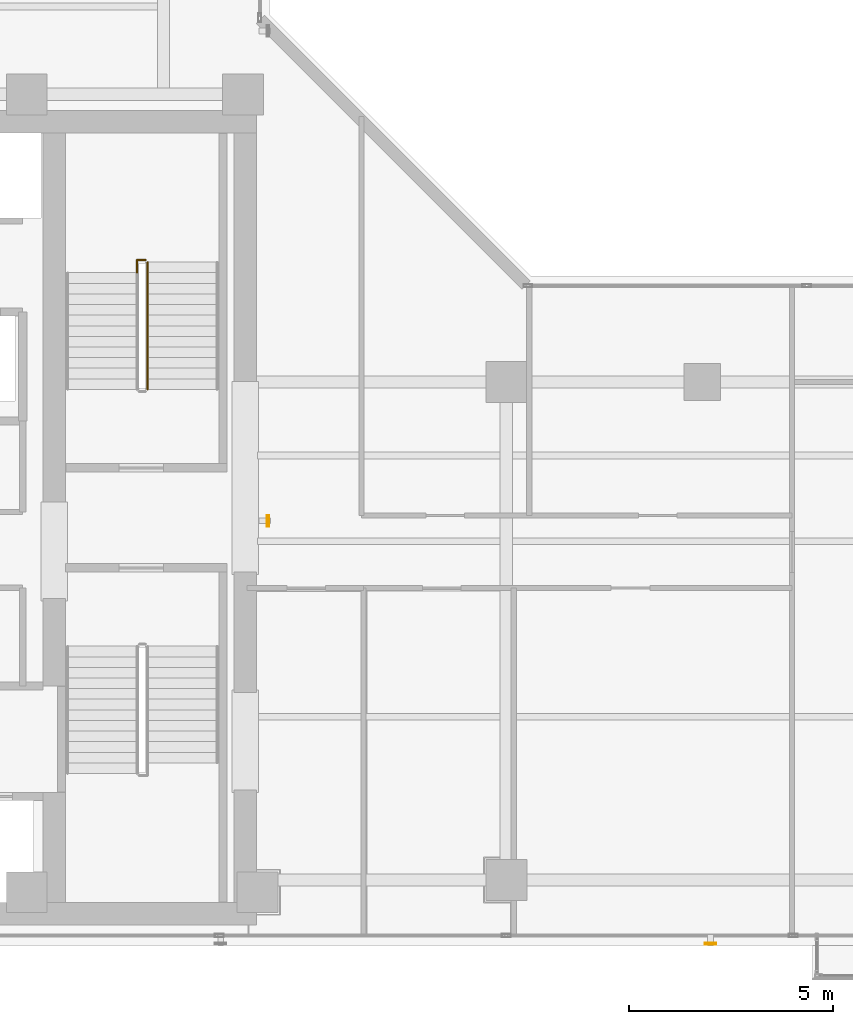
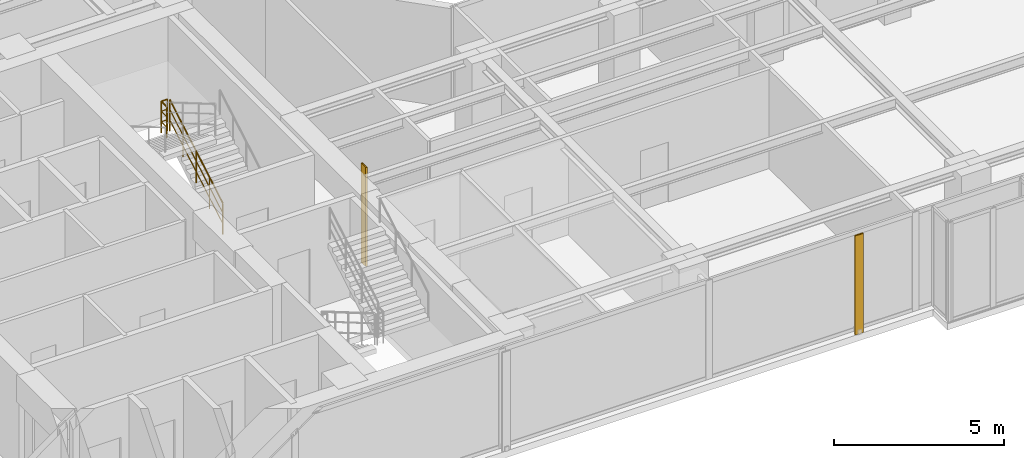
# One storey, part 21 of 24: 2 railings, 2 shading devices.
"""IFC4 building model written with IfcOpenShell, lengths in metres."""

import ifcopenshell
import ifcopenshell.guid

model = None  # the IFC model being written
_history = None  # IfcOwnerHistory: only IFC2X3 demands one
_inside = {}  # id of a spatial element -> (the spatial element, [elements in it])
_under = {}  # id of a project, library or spatial element -> (it, [spatial elements below it])
_declared = {}  # id of a project -> (the project, [libraries it declares])
_typed = {}  # id of a type object -> (the type object, [elements of that type])
_made_of = {}  # id of a material, layer set ... -> (it, [elements and type objects made of it])


def new_model(schema):
    """Start an empty IFC model of exactly this schema.

    Asked for "IFC4X3", IfcOpenShell would pick the latest addendum, in which some entities
    have other attributes; the version numbers below select the first issue.
    IFC2X3 requires an IfcOwnerHistory on every rooted entity: one is made here for all.
    """
    global model, _history
    if schema == "IFC4X3":
        model = ifcopenshell.file(schema_version=(4, 3, 0, 0))
    else:
        model = ifcopenshell.file(schema=schema)
    _inside.clear()
    _under.clear()
    _declared.clear()
    _typed.clear()
    _made_of.clear()
    _history = None
    if model.schema == "IFC2X3":
        org = make("IfcOrganization", Name="unknown")
        user = make(
            "IfcPersonAndOrganization",
            ThePerson=make("IfcPerson", FamilyName="unknown"),
            TheOrganization=org,
        )
        app = make(
            "IfcApplication",
            ApplicationDeveloper=org,
            Version="unknown",
            ApplicationFullName="unknown",
            ApplicationIdentifier="unknown",
        )
        _history = make(
            "IfcOwnerHistory",
            OwningUser=user,
            OwningApplication=app,
            ChangeAction="ADDED",
            CreationDate=0,
        )
    return model


def make(cls, **values):
    """One entity of the class cls with the attributes given. An attribute that is None is left unset."""
    return model.create_entity(
        cls, **{name: value for name, value in values.items() if value is not None}
    )


def rooted(cls, **values):
    """An entity with a GlobalId (a new one), such as an element, a storey or a relation."""
    return make(cls, GlobalId=ifcopenshell.guid.new(), OwnerHistory=_history, **values)


def si_unit(unit_type, name, prefix=None):
    """IfcSIUnit, for example si_unit("LENGTHUNIT", "METRE", prefix="MILLI")."""
    return make("IfcSIUnit", UnitType=unit_type, Prefix=prefix, Name=name)


def assignment(units):
    """IfcUnitAssignment: the units of a project."""
    return None if units is None else make("IfcUnitAssignment", Units=units)


def point(xyz):
    """IfcCartesianPoint."""
    return None if xyz is None else make("IfcCartesianPoint", Coordinates=xyz)


def direction(xyz):
    """IfcDirection."""
    return None if xyz is None else make("IfcDirection", DirectionRatios=xyz)


def frame(location, z_axis=None, x_axis=None):
    """IfcAxis2Placement3D, a coordinate frame: its origin and axes. An axis left out is left unset."""
    return make(
        "IfcAxis2Placement3D",
        Location=point(location),
        Axis=direction(z_axis),
        RefDirection=direction(x_axis),
    )


def frame_2d(location, x_axis=None):
    """IfcAxis2Placement2D, a coordinate frame in the plane: its origin and x axis."""
    return make(
        "IfcAxis2Placement2D", Location=point(location), RefDirection=direction(x_axis)
    )


def origin():
    """The frame at (0, 0, 0) with its axes left unset."""
    return frame((0.0, 0.0, 0.0))


def origin_2d():
    """The frame at (0, 0) in the plane with its x axis left unset."""
    return frame_2d((0.0, 0.0))


def place(relative_to, where):
    """IfcLocalPlacement: puts the frame where relative to a parent placement (None: the world)."""
    return make(
        "IfcLocalPlacement", PlacementRelTo=relative_to, RelativePlacement=where
    )


def context(
    kind, dimensions, precision=None, world=None, true_north=None, identifier=None
):
    """IfcGeometricRepresentationContext, for example the 3D "Model" context."""
    return make(
        "IfcGeometricRepresentationContext",
        ContextIdentifier=identifier,
        ContextType=kind,
        CoordinateSpaceDimension=dimensions,
        Precision=precision,
        WorldCoordinateSystem=world,
        TrueNorth=true_north,
    )


def subcontext(parent, identifier, kind, view, scale=None):
    """IfcGeometricRepresentationSubContext, for example "Body" below "Model"."""
    return make(
        "IfcGeometricRepresentationSubContext",
        ContextIdentifier=identifier,
        ContextType=kind,
        ParentContext=parent,
        TargetScale=scale,
        TargetView=view,
    )


def project(units=None, contexts=None):
    """IfcProject with its units and contexts."""
    return rooted(
        "IfcProject",
        Name="project",
        RepresentationContexts=contexts,
        UnitsInContext=assignment(units),
    )


def spatial(cls, under=None, at=None, **own):
    """A site, building, storey or space (cls), placed at a placement, below another one or the project."""
    s = rooted(cls, ObjectPlacement=at, **own)
    if under is not None:
        _under.setdefault(under.id(), (under, []))[1].append(s)
    return s


def profile(cls, at=None, kind="AREA", **sizes):
    """A parametric profile (cls). Its sizes go by their IFC names, for example OverallWidth=200.0."""
    return make(cls, ProfileType=kind, Position=at, **sizes)


def hollow_rectangle(**sizes):
    """IfcRectangleHollowProfileDef."""
    return profile("IfcRectangleHollowProfileDef", **sizes)


def circle(**sizes):
    """IfcCircleProfileDef."""
    return profile("IfcCircleProfileDef", **sizes)


def extrude(swept, where, along, depth):
    """IfcExtrudedAreaSolid: the profile swept, set in the frame where, extruded along a direction by depth."""
    return make(
        "IfcExtrudedAreaSolid",
        SweptArea=swept,
        Position=where,
        ExtrudedDirection=direction(along),
        Depth=depth,
    )


def shape(context_of_items, identifier, shape_type, items):
    """IfcShapeRepresentation: the items that make up one representation, for example the "Body"."""
    return make(
        "IfcShapeRepresentation",
        ContextOfItems=context_of_items,
        RepresentationIdentifier=identifier,
        RepresentationType=shape_type,
        Items=items,
    )


def material(Name=None, Category=None):
    """IfcMaterial."""
    return make("IfcMaterial", Name=Name, Category=Category)


def material_profile(
    of_material, cross_section, Name=None, Category=None, Priority=None
):
    """IfcMaterialProfile: a cross section and its material."""
    return make(
        "IfcMaterialProfile",
        Name=Name,
        Material=of_material,
        Profile=cross_section,
        Priority=Priority,
        Category=Category,
    )


def profile_set(profiles, Name=None, composite=None):
    """IfcMaterialProfileSet."""
    return make(
        "IfcMaterialProfileSet",
        Name=Name,
        MaterialProfiles=profiles,
        CompositeProfile=composite,
    )


def made_of(thing, what):
    """Note that an element or type object is made of a material, layer set ...; save() writes the relation."""
    if what is not None:
        _made_of.setdefault(what.id(), (what, []))[1].append(thing)
    return thing


def type_object(cls, material=None, **own):
    """A type object (cls), such as IfcWallType, which elements share."""
    return made_of(rooted(cls, **own), material)


def element(
    cls,
    number,
    at=None,
    inside=None,
    cuts=None,
    type_object=None,
    material=None,
    context=None,
    identifier="Body",
    shape_type=None,
    held_by="IfcProductDefinitionShape",
    body=None,
    shapes=None,
    **own,
):
    """One element of the class cls, such as IfcWall. Its Tag is "e" and its number.

    at: its placement. inside: the storey or other place that contains it. cuts: it is an
    opening in that element (IfcRelVoidsElement). A single representation is given by context,
    identifier, shape_type and body (its items); several are given by shapes. held_by: the class
    of the entity that holds the representations. save() writes the other relations.
    """
    e = rooted(cls, Tag="e%d" % number, ObjectPlacement=at, **own)
    if body is not None:
        shapes = [shape(context, identifier, shape_type, body)]
    if shapes is not None:
        e.Representation = make(held_by, Representations=shapes)
    if inside is not None:
        _inside.setdefault(inside.id(), (inside, []))[1].append(e)
    if cuts is not None:
        rooted(
            "IfcRelVoidsElement", RelatingBuildingElement=cuts, RelatedOpeningElement=e
        )
    if type_object is not None:
        _typed.setdefault(type_object.id(), (type_object, []))[1].append(e)
    return made_of(e, material)


def aggregate(whole, parts):
    """IfcRelAggregates: a whole, such as a stair, and the parts it consists of."""
    return rooted("IfcRelAggregates", RelatingObject=whole, RelatedObjects=parts)


def save(model, path):
    """Write the relations noted so far, then the file.

    IfcRelAggregates (storeys below a building ...), IfcRelContainedInSpatialStructure (elements
    in a storey), IfcRelDefinesByType, IfcRelAssociatesMaterial and IfcRelDeclares: one each for
    every whole, place, type object, material and project.
    """
    for whole, parts in _under.values():
        aggregate(whole, parts)
    for where, things in _inside.values():
        rooted(
            "IfcRelContainedInSpatialStructure",
            RelatedElements=things,
            RelatingStructure=where,
        )
    for kind, things in _typed.values():
        rooted("IfcRelDefinesByType", RelatedObjects=things, RelatingType=kind)
    for what, things in _made_of.values():
        rooted("IfcRelAssociatesMaterial", RelatedObjects=things, RelatingMaterial=what)
    for by, libraries in _declared.values():
        rooted("IfcRelDeclares", RelatingContext=by, RelatedDefinitions=libraries)
    model.write(path)


model = new_model("IFC4")

# Units and contexts
model_context = context("Model", 3, precision=1e-05, world=origin(), true_north=direction((0.0, 1.0)))
body_context = subcontext(model_context, "Body", "Model", "MODEL_VIEW")
ifc_project = project(units=[si_unit("LENGTHUNIT", "METRE"), si_unit("AREAUNIT", "SQUARE_METRE"), si_unit("VOLUMEUNIT", "CUBIC_METRE"), si_unit("PLANEANGLEUNIT", "RADIAN"), si_unit("MASSUNIT", "GRAM", prefix="KILO")], contexts=[model_context])

# Site, building, storey
site_placement = place(None, origin())
site = spatial("IfcSite", under=ifc_project, at=site_placement, CompositionType="ELEMENT")
building_placement = place(site_placement, origin())
building = spatial("IfcBuilding", under=site, at=building_placement, Name="Kolvaren Waterfront Exchange", CompositionType="ELEMENT")
storey_placement = place(building_placement, frame((0.0, 0.0, 238.699951171875)))
storey = spatial("IfcBuildingStorey", under=building, at=storey_placement, Name="L61", CompositionType="ELEMENT", Elevation=238.699951171875)

# Shading devices
ifc_material_1 = material(Name="Anodised bronze aluminium 6063-T6", Category="aluminium")
ifc_material_profile = material_profile(ifc_material_1, hollow_rectangle(XDim=0.054931640625, YDim=0.280029296875, WallThickness=0.00439453125, at=origin_2d()), Name="BRZ-FIN-280x55x4.5")
ifc_profile_set = profile_set([ifc_material_profile], Name="Anodised bronze aluminium 6063-T6")
shading_device_type = type_object("IfcShadingDeviceType", Name="ARC-FIN-280", PredefinedType="USERDEFINED", material=ifc_profile_set)
for number, where, z_axis, x_axis, name in (
    (1, (32.199951171875, 3.639892578125, 0.0), (0.0, 0.0, 1.0), (0.0, -1.0, 0.0), "L61 anodised bronze solar shading fin FIN-L61-S3"),
    (2, (21.360107421875, 14.0, 0.0), (0.0, 0.0, 1.0), (1.0, 0.0, 0.0), "L61 anodised bronze solar shading fin FIN-L61-E1"),
):
    element("IfcShadingDevice", number, at=place(storey_placement, frame(where, z_axis=z_axis, x_axis=x_axis)), inside=storey, type_object=shading_device_type, Name=name, ObjectType="SOLAR FIN", PredefinedType="USERDEFINED", context=body_context, shape_type="SweptSolid", body=[
        extrude(hollow_rectangle(XDim=0.054931640625, YDim=0.280029296875, WallThickness=0.00439453125, at=origin_2d()), origin(), (0.0, 0.0, 1.0), 3.56005859375),
    ])

# Railings
ifc_material_2 = material(Name="Stainless steel 316", Category="steel")
railing_type = type_object("IfcRailingType", Name="ARC-GUARD-STAIR", PredefinedType="GUARDRAIL", material=ifc_material_2)
railing_1_placement = place(storey_placement, frame((18.409912109375, 17.219970703125, 0.152099609375)))
element("IfcRailing", 3, at=railing_1_placement, inside=storey, type_object=railing_type, Name="L61 ST2 stair guard 1", PredefinedType="GUARDRAIL", context=body_context, shape_type="SweptSolid", body=[
    extrude(circle(Radius=0.02392578125, at=origin_2d()), frame((0.0, 0.0, 1.1259765625), z_axis=(0.0, 0.86330811405, 0.504677223793), x_axis=(-1.0, 0.0, 0.0)), (0.0, 0.0, 1.0), 3.6142578125),
    extrude(circle(Radius=0.01611328125, at=origin_2d()), frame((0.0, 0.0, 0.390869140625), z_axis=(0.0, 0.86330811405, 0.504677223793), x_axis=(-1.0, 0.0, 0.0)), (0.0, 0.0, 1.0), 3.6142578125),
    extrude(circle(Radius=0.01611328125, at=origin_2d()), frame((0.0, 0.0, 0.7705078125), z_axis=(0.0, 0.86330811405, 0.504677223793), x_axis=(-1.0, 0.0, 0.0)), (0.0, 0.0, 1.0), 3.6142578125),
    extrude(circle(Radius=0.02099609375, at=origin_2d()), origin(), (0.0, 0.0, 1.0), 1.101806640625),
    extrude(circle(Radius=0.02099609375, at=origin_2d()), frame((0.0, 0.780029296875, 0.4560546875)), (0.0, 0.0, 1.0), 1.101806640625),
    extrude(circle(Radius=0.02099609375, at=origin_2d()), frame((0.0, 1.56005859375, 0.912109375)), (0.0, 0.0, 1.0), 1.101806640625),
    extrude(circle(Radius=0.02099609375, at=origin_2d()), frame((0.0, 2.340087890625, 1.367919921875)), (0.0, 0.0, 1.0), 1.101806640625),
    extrude(circle(Radius=0.02099609375, at=origin_2d()), frame((0.0, 3.1201171875, 1.823974609375)), (0.0, 0.0, 1.0), 1.101806640625),
])
railing_2_placement = place(storey_placement, frame((18.360107421875, 20.389892578125, 1.97607421875)))
element("IfcRailing", 4, at=railing_2_placement, inside=storey, type_object=railing_type, Name="L61 ST2 stair guard 2", PredefinedType="GUARDRAIL", context=body_context, shape_type="SweptSolid", body=[
    extrude(circle(Radius=0.02392578125, at=origin_2d()), frame((0.0, 0.0, 1.1259765625), z_axis=(-1.0, 0.0, 0.0), x_axis=(0.0, -1.0, 0.0)), (0.0, 0.0, 1.0), 0.210205078125),
    extrude(circle(Radius=0.01611328125, at=origin_2d()), frame((0.0, 0.0, 0.390869140625), z_axis=(-1.0, 0.0, 0.0), x_axis=(0.0, -1.0, 0.0)), (0.0, 0.0, 1.0), 0.210205078125),
    extrude(circle(Radius=0.01611328125, at=origin_2d()), frame((0.0, 0.0, 0.7705078125), z_axis=(-1.0, 0.0, 0.0), x_axis=(0.0, -1.0, 0.0)), (0.0, 0.0, 1.0), 0.210205078125),
    extrude(circle(Radius=0.02392578125, at=origin_2d()), frame((-0.210205078125, 0.0, 1.1259765625), z_axis=(0.0, -1.0, 0.0), x_axis=(1.0, 0.0, 0.0)), (0.0, 0.0, 1.0), 0.309814453125),
    extrude(circle(Radius=0.01611328125, at=origin_2d()), frame((-0.210205078125, 0.0, 0.390869140625), z_axis=(0.0, -1.0, 0.0), x_axis=(1.0, 0.0, 0.0)), (0.0, 0.0, 1.0), 0.309814453125),
    extrude(circle(Radius=0.01611328125, at=origin_2d()), frame((-0.210205078125, 0.0, 0.7705078125), z_axis=(0.0, -1.0, 0.0), x_axis=(1.0, 0.0, 0.0)), (0.0, 0.0, 1.0), 0.309814453125),
    extrude(circle(Radius=0.02099609375, at=origin_2d()), origin(), (0.0, 0.0, 1.0), 1.101806640625),
    extrude(circle(Radius=0.02099609375, at=origin_2d()), frame((-0.210205078125, 0.0, 0.0)), (0.0, 0.0, 1.0), 1.101806640625),
    extrude(circle(Radius=0.02099609375, at=origin_2d()), frame((-0.210205078125, -0.309814453125, 0.0)), (0.0, 0.0, 1.0), 1.101806640625),
])

save(model, "model.ifc")
